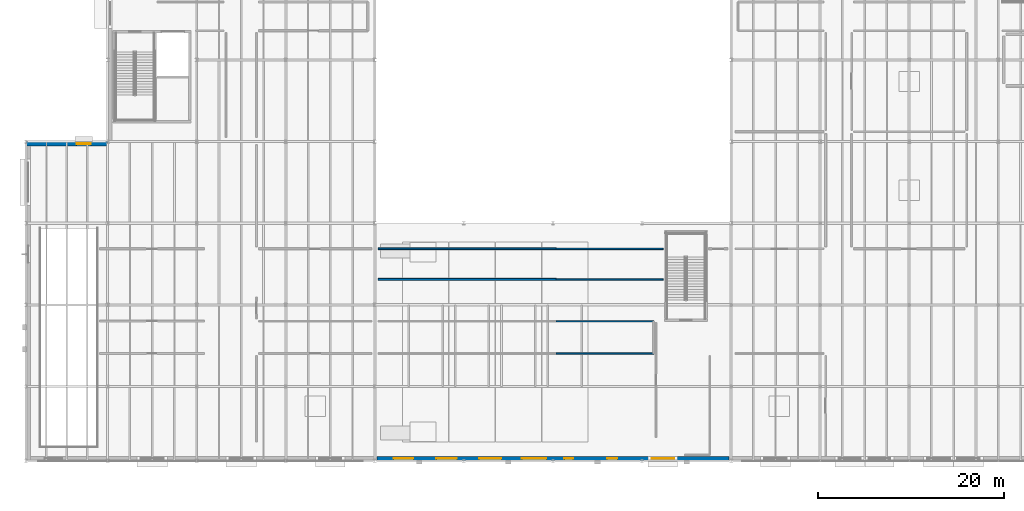
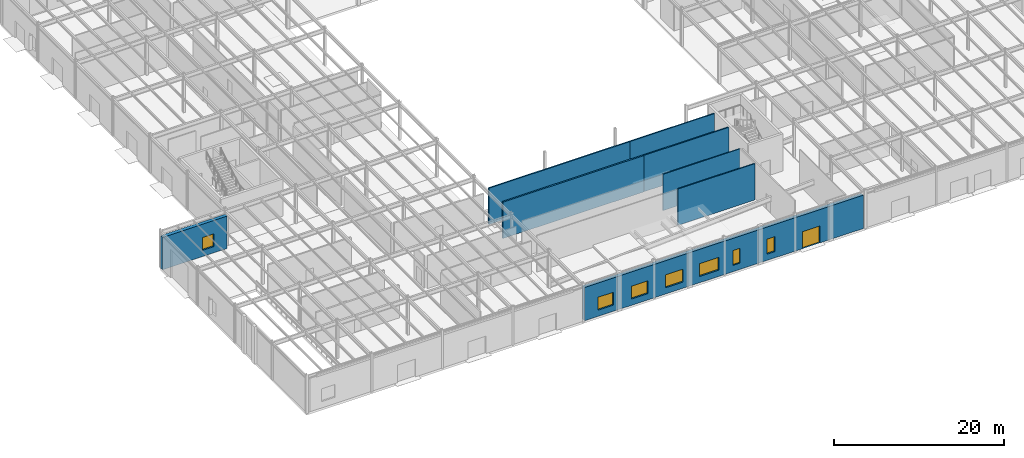
# One storey, part 44 of 70: 8 walls, 7 windows, 1 door, 8 openings.
"""IFC4 building model written with IfcOpenShell, lengths in metres."""

from ifc_helpers import new_model, si_unit, direction, frame, frame_2d, origin, place, context, subcontext, project, spatial, rectangle, extrude, material, layer, layer_set, type_object, element, fill, save


model = new_model("IFC4")

# Units and contexts
model_context = context("Model", 3, precision=1e-05, world=origin(), true_north=direction((0.0, 1.0)))
body_context = subcontext(model_context, "Body", "Model", "MODEL_VIEW")
ifc_project = project(units=[si_unit("LENGTHUNIT", "METRE"), si_unit("AREAUNIT", "SQUARE_METRE"), si_unit("VOLUMEUNIT", "CUBIC_METRE"), si_unit("PLANEANGLEUNIT", "RADIAN"), si_unit("MASSUNIT", "GRAM", prefix="KILO")], contexts=[model_context])

# Site, building, storey
site_placement = place(None, origin())
site = spatial("IfcSite", under=ifc_project, at=site_placement, CompositionType="ELEMENT")
building_placement = place(site_placement, origin())
building = spatial("IfcBuilding", under=site, at=building_placement, Name="Sarnbrook Museum", CompositionType="ELEMENT")
storey_placement = place(building_placement, origin())
storey = spatial("IfcBuildingStorey", under=building, at=storey_placement, Name="L00", CompositionType="ELEMENT", Elevation=0.0)

# Walls
ifc_material_1 = material(Name="Fire-Rated Acoustic Gypsum Plasterboard")
ifc_layer_1 = layer(ifc_material_1, 0.135009765625)
ifc_layer_set_1 = layer_set([ifc_layer_1], Name="Fire-Rated Acoustic Gypsum Plasterboard")
wall_type_1 = type_object("IfcWallType", Name="PartWall_P135", PredefinedType="PARTITIONING", material=ifc_layer_set_1)
wall_1_placement = place(storey_placement, frame((72.43994140625, 19.85009765625, 0.0), z_axis=(0.0, 0.0, 1.0), x_axis=(-1.0, 0.0, 0.0)))
element("IfcWall", 1, at=wall_1_placement, inside=storey, type_object=wall_type_1, Name="Interior Partition Wall L00-0278", PredefinedType="PARTITIONING", context=body_context, shape_type="SweptSolid", body=[
    extrude(rectangle(XDim=10.510009765625, YDim=0.135009765625, at=frame_2d((5.2548828125, 0.0))), origin(), (0.0, 0.0, 1.0), 5.22998046875),
])
ifc_layer_2 = layer(ifc_material_1, 0.14990234375)
ifc_layer_set_2 = layer_set([ifc_layer_2], Name="Fire-Rated Acoustic Gypsum Plasterboard")
wall_type_2 = type_object("IfcWallType", Name="PartWall_P150", PredefinedType="PARTITIONING", material=ifc_layer_set_2)
wall_2_placement = place(storey_placement, frame((61.929931640625, 16.35009765625, 0.0), z_axis=(0.0, 0.0, 1.0), x_axis=(1.0, 0.0, 0.0)))
element("IfcWall", 2, at=wall_2_placement, inside=storey, type_object=wall_type_2, Name="Interior Partition Wall L00-0277", PredefinedType="PARTITIONING", context=body_context, shape_type="SweptSolid", body=[
    extrude(rectangle(XDim=10.510009765625, YDim=0.14990234375, at=frame_2d((5.2548828125, 0.0))), origin(), (0.0, 0.0, 1.0), 5.22998046875),
])
ifc_layer_3 = layer(ifc_material_1, 0.1650390625)
ifc_layer_set_3 = layer_set([ifc_layer_3], Name="Fire-Rated Acoustic Gypsum Plasterboard")
wall_type_3 = type_object("IfcWallType", Name="PartWall_P165", PredefinedType="PARTITIONING", material=ifc_layer_set_3)
wall_3_placement = place(storey_placement, frame((73.47998046875, 27.64990234375, 0.0), z_axis=(0.0, 0.0, 1.0), x_axis=(-1.0, 0.0, 0.0)))
element("IfcWall", 3, at=wall_3_placement, inside=storey, type_object=wall_type_3, Name="Interior Partition Wall L00-0276", PredefinedType="PARTITIONING", context=body_context, shape_type="SweptSolid", body=[
    extrude(rectangle(XDim=11.550048828125, YDim=0.1650390625, at=frame_2d((5.77490234375, 0.0))), origin(), (0.0, 0.0, 1.0), 5.22998046875),
])
ifc_layer_4 = layer(ifc_material_1, 0.179931640625)
ifc_layer_set_4 = layer_set([ifc_layer_4], Name="Fire-Rated Acoustic Gypsum Plasterboard")
wall_type_4 = type_object("IfcWallType", Name="PartWall_P180", PredefinedType="PARTITIONING", material=ifc_layer_set_4)
wall_4_placement = place(storey_placement, frame((61.929931640625, 27.64990234375, 0.0), z_axis=(0.0, 0.0, 1.0), x_axis=(-1.0, 0.0, 0.0)))
element("IfcWall", 4, at=wall_4_placement, inside=storey, type_object=wall_type_4, Name="Interior Partition Wall L00-0240", PredefinedType="PARTITIONING", context=body_context, shape_type="SweptSolid", body=[
    extrude(rectangle(XDim=19.169921875, YDim=0.179931640625, at=frame_2d((9.5849609375, 0.0))), origin(), (0.0, 0.0, 1.0), 5.22998046875),
])
wall_5_placement = place(storey_placement, frame((61.929931640625, 24.35009765625, 0.0), z_axis=(0.0, 0.0, 1.0), x_axis=(1.0, 0.0, 0.0)))
element("IfcWall", 5, at=wall_5_placement, inside=storey, type_object=wall_type_4, Name="Interior Partition Wall L00-0275", PredefinedType="PARTITIONING", context=body_context, shape_type="SweptSolid", body=[
    extrude(rectangle(XDim=11.550048828125, YDim=0.179931640625, at=frame_2d((5.77490234375, 0.0))), origin(), (0.0, 0.0, 1.0), 5.22998046875),
])
ifc_layer_5 = layer(ifc_material_1, 0.2099609375)
ifc_layer_set_5 = layer_set([ifc_layer_5], Name="Fire-Rated Acoustic Gypsum Plasterboard")
wall_type_5 = type_object("IfcWallType", Name="PartWall_P210", PredefinedType="PARTITIONING", material=ifc_layer_set_5)
wall_6_placement = place(storey_placement, frame((42.760009765625, 24.35009765625, 0.0), z_axis=(0.0, 0.0, 1.0), x_axis=(1.0, 0.0, 0.0)))
element("IfcWall", 6, at=wall_6_placement, inside=storey, type_object=wall_type_5, Name="Interior Partition Wall L00-0238", PredefinedType="PARTITIONING", context=body_context, shape_type="SweptSolid", body=[
    extrude(rectangle(XDim=19.169921875, YDim=0.2099609375, at=frame_2d((9.5849609375, 0.0))), origin(), (0.0, 0.0, 1.0), 5.22998046875),
])

# Wall, opening, window
ifc_material_2 = material(Name="Barrabool Sandstone Ashlar Cladding", Category="masonry")
ifc_layer_6 = layer(ifc_material_2, 0.4599609375)
ifc_layer_set_6 = layer_set([ifc_layer_6], Name="Barrabool Sandstone Ashlar Cladding")
wall_type_6 = type_object("IfcWallType", Name="Wall_SandstoneExt460", PredefinedType="SOLIDWALL", material=ifc_layer_set_6)
wall_7_placement = place(storey_placement, frame((13.60009765625, 38.969970703125, 0.0), z_axis=(0.0, 0.0, 1.0), x_axis=(-1.0, 0.0, 0.0)))
wall_7 = element("IfcWall", 7, at=wall_7_placement, inside=storey, type_object=wall_type_6, Name="Classical Sandstone Facade Wall L00-12", PredefinedType="SOLIDWALL", context=body_context, shape_type="SweptSolid", body=[
    extrude(rectangle(XDim=8.800048828125, YDim=0.4599609375, at=frame_2d((4.39990234375, 0.0))), origin(), (0.0, 0.0, 1.0), 4.653076171875),
])
opening_1_placement = place(wall_7_placement, frame((1.800048828125, 0.0, 0.89990234375)))
opening_1 = element("IfcOpeningElement", 8, at=opening_1_placement, cuts=wall_7, Name="Opening WT-16", PredefinedType="OPENING", context=body_context, shape_type="SweptSolid", body=[
    extrude(rectangle(XDim=1.550048828125, YDim=1.85009765625, at=frame_2d((0.77490234375, 0.925048828125))), frame((0.0, 0.239990234375, 0.0), z_axis=(0.0, -1.0, 0.0), x_axis=(1.0, 0.0, 0.0)), (0.0, 0.0, 1.0), 0.47998046875),
])
ifc_material_3 = material(Name="Double-Glazed Low-Iron Laminated Safety Glass", Category="glass")
window_type_1 = type_object("IfcWindowType", Name="Window_Classical_WT16", PartitioningType="SINGLE_PANEL", PredefinedType="WINDOW", material=ifc_material_3)
window_1_placement = place(opening_1_placement, origin())
window_1 = element("IfcWindow", 9, at=window_1_placement, inside=storey, type_object=window_type_1, Name="Classical Bronze Casement Window WIN:L00:0016", OverallHeight=1.85009765625, OverallWidth=1.550048828125, PartitioningType="SINGLE_PANEL", PredefinedType="WINDOW", context=body_context, shape_type="SweptSolid", body=[
    extrude(rectangle(XDim=1.550048828125, YDim=1.85009765625, at=frame_2d((0.77490234375, 0.925048828125))), frame((0.0, 0.030029296875, 0.0), z_axis=(0.0, -1.0, 0.0), x_axis=(1.0, 0.0, 0.0)), (0.0, 0.0, 1.0), 0.06005859375),
])
fill(opening_1, window_1)

# Wall, openings, door, windows
wall_8_placement = place(storey_placement, frame((42.635986328125, 5.030029296875, 0.0), z_axis=(0.0, 0.0, 1.0), x_axis=(1.0, 0.0, 0.0)))
wall_8 = element("IfcWall", 10, at=wall_8_placement, inside=storey, type_object=wall_type_6, Name="Classical Sandstone Facade Wall L00-15", PredefinedType="SOLIDWALL", context=body_context, shape_type="SweptSolid", body=[
    extrude(rectangle(XDim=37.927978515625, YDim=0.4599609375, at=frame_2d((18.9638671875, 0.0))), origin(), (0.0, 0.0, 1.0), 4.802001953125),
])
opening_2_placement = place(wall_8_placement, frame((29.614013671875, 0.0, 0.0)))
opening_2 = element("IfcOpeningElement", 11, at=opening_2_placement, cuts=wall_8, Name="Opening ED33", PredefinedType="OPENING", context=body_context, shape_type="SweptSolid", body=[
    extrude(rectangle(XDim=2.39990234375, YDim=2.449951171875, at=frame_2d((1.199951171875, 1.22509765625))), frame((0.0, 0.239990234375, 0.0), z_axis=(0.0, -1.0, 0.0), x_axis=(1.0, 0.0, 0.0)), (0.0, 0.0, 1.0), 0.47998046875),
])
opening_3_placement = place(wall_8_placement, frame((1.800048828125, 0.0, 0.89990234375)))
opening_3 = element("IfcOpeningElement", 12, at=opening_3_placement, cuts=wall_8, Name="Opening WT-19", PredefinedType="OPENING", context=body_context, shape_type="SweptSolid", body=[
    extrude(rectangle(XDim=2.1201171875, YDim=1.85009765625, at=frame_2d((1.06005859375, 0.925048828125))), frame((0.0, 0.239990234375, 0.0), z_axis=(0.0, -1.0, 0.0), x_axis=(1.0, 0.0, 0.0)), (0.0, 0.0, 1.0), 0.47998046875),
])
opening_4_placement = place(wall_8_placement, frame((6.39990234375, 0.0, 0.89990234375)))
opening_4 = element("IfcOpeningElement", 13, at=opening_4_placement, cuts=wall_8, Name="Opening WT-20", PredefinedType="OPENING", context=body_context, shape_type="SweptSolid", body=[
    extrude(rectangle(XDim=2.199951171875, YDim=1.85009765625, at=frame_2d((1.10009765625, 0.925048828125))), frame((0.0, 0.239990234375, 0.0), z_axis=(0.0, -1.0, 0.0), x_axis=(1.0, 0.0, 0.0)), (0.0, 0.0, 1.0), 0.47998046875),
])
opening_5_placement = place(wall_8_placement, frame((11.0, 0.0, 0.89990234375)))
opening_5 = element("IfcOpeningElement", 14, at=opening_5_placement, cuts=wall_8, Name="Opening WT-21", PredefinedType="OPENING", context=body_context, shape_type="SweptSolid", body=[
    extrude(rectangle(XDim=2.39990234375, YDim=1.85009765625, at=frame_2d((1.199951171875, 0.925048828125))), frame((0.0, 0.239990234375, 0.0), z_axis=(0.0, -1.0, 0.0), x_axis=(1.0, 0.0, 0.0)), (0.0, 0.0, 1.0), 0.47998046875),
])
opening_6_placement = place(wall_8_placement, frame((15.60009765625, 0.0, 0.89990234375)))
opening_6 = element("IfcOpeningElement", 15, at=opening_6_placement, cuts=wall_8, Name="Opening WT-22", PredefinedType="OPENING", context=body_context, shape_type="SweptSolid", body=[
    extrude(rectangle(XDim=2.64990234375, YDim=1.85009765625, at=frame_2d((1.324951171875, 0.925048828125))), frame((0.0, 0.239990234375, 0.0), z_axis=(0.0, -1.0, 0.0), x_axis=(1.0, 0.0, 0.0)), (0.0, 0.0, 1.0), 0.47998046875),
])
opening_7_placement = place(wall_8_placement, frame((20.199951171875, 0.0, 0.89990234375)))
opening_7 = element("IfcOpeningElement", 16, at=opening_7_placement, cuts=wall_8, Name="Opening WT-23", PredefinedType="OPENING", context=body_context, shape_type="SweptSolid", body=[
    extrude(rectangle(XDim=0.949951171875, YDim=2.14990234375, at=frame_2d((0.47509765625, 1.074951171875))), frame((0.0, 0.239990234375, 0.0), z_axis=(0.0, -1.0, 0.0), x_axis=(1.0, 0.0, 0.0)), (0.0, 0.0, 1.0), 0.47998046875),
])
opening_8_placement = place(wall_8_placement, frame((24.800048828125, 0.0, 0.89990234375)))
opening_8 = element("IfcOpeningElement", 17, at=opening_8_placement, cuts=wall_8, Name="Opening WT-24", PredefinedType="OPENING", context=body_context, shape_type="SweptSolid", body=[
    extrude(rectangle(XDim=1.10009765625, YDim=2.14990234375, at=frame_2d((0.550048828125, 1.074951171875))), frame((0.0, 0.239990234375, 0.0), z_axis=(0.0, -1.0, 0.0), x_axis=(1.0, 0.0, 0.0)), (0.0, 0.0, 1.0), 0.47998046875),
])
ifc_material_4 = material(Name="Thermally Broken Anodised Aluminium 6063-T6", Category="aluminium")
door_type = type_object("IfcDoorType", Name="DoorType_EDT2", OperationType="DOUBLE_DOOR_SINGLE_SWING", PredefinedType="DOOR", material=ifc_material_4)
door_placement = place(opening_2_placement, frame((2.39990234375, 0.0, 0.0), z_axis=(0.0, 0.0, 1.0), x_axis=(-1.0, 0.0, 0.0)))
door = element("IfcDoor", 18, at=door_placement, inside=storey, type_object=door_type, Name="Auditorium South Pedestrian Exit Door ED33", OperationType="DOUBLE_DOOR_SINGLE_SWING", OverallHeight=2.449951171875, OverallWidth=2.39990234375, PredefinedType="DOOR", context=body_context, shape_type="SweptSolid", body=[
    extrude(rectangle(XDim=2.39990234375, YDim=2.449951171875, at=frame_2d((1.199951171875, 1.22509765625))), frame((0.0, 0.02490234375, 0.0), z_axis=(0.0, -1.0, 0.0), x_axis=(1.0, 0.0, 0.0)), (0.0, 0.0, 1.0), 0.050048828125),
])
fill(opening_2, door)
window_type_2 = type_object("IfcWindowType", Name="Window_Classical_WT19", PartitioningType="SINGLE_PANEL", PredefinedType="WINDOW", material=ifc_material_3)
window_2_placement = place(opening_3_placement, origin())
window_2 = element("IfcWindow", 19, at=window_2_placement, inside=storey, type_object=window_type_2, Name="Classical Bronze Casement Window WIN:L00:0019", OverallHeight=1.85009765625, OverallWidth=2.1201171875, PartitioningType="SINGLE_PANEL", PredefinedType="WINDOW", context=body_context, shape_type="SweptSolid", body=[
    extrude(rectangle(XDim=2.1201171875, YDim=1.85009765625, at=frame_2d((1.06005859375, 0.925048828125))), frame((0.0, 0.030029296875, 0.0), z_axis=(0.0, -1.0, 0.0), x_axis=(1.0, 0.0, 0.0)), (0.0, 0.0, 1.0), 0.06005859375),
])
fill(opening_3, window_2)
window_type_3 = type_object("IfcWindowType", Name="Window_Classical_WT20", PartitioningType="SINGLE_PANEL", PredefinedType="WINDOW", material=ifc_material_3)
window_3_placement = place(opening_4_placement, origin())
window_3 = element("IfcWindow", 20, at=window_3_placement, inside=storey, type_object=window_type_3, Name="Classical Bronze Casement Window WIN:L00:0020", OverallHeight=1.85009765625, OverallWidth=2.199951171875, PartitioningType="SINGLE_PANEL", PredefinedType="WINDOW", context=body_context, shape_type="SweptSolid", body=[
    extrude(rectangle(XDim=2.199951171875, YDim=1.85009765625, at=frame_2d((1.10009765625, 0.925048828125))), frame((0.0, 0.030029296875, 0.0), z_axis=(0.0, -1.0, 0.0), x_axis=(1.0, 0.0, 0.0)), (0.0, 0.0, 1.0), 0.06005859375),
])
fill(opening_4, window_3)
window_type_4 = type_object("IfcWindowType", Name="Window_Classical_WT21", PartitioningType="SINGLE_PANEL", PredefinedType="WINDOW", material=ifc_material_3)
window_4_placement = place(opening_5_placement, origin())
window_4 = element("IfcWindow", 21, at=window_4_placement, inside=storey, type_object=window_type_4, Name="Classical Bronze Casement Window WIN:L00:0021", OverallHeight=1.85009765625, OverallWidth=2.39990234375, PartitioningType="SINGLE_PANEL", PredefinedType="WINDOW", context=body_context, shape_type="SweptSolid", body=[
    extrude(rectangle(XDim=2.39990234375, YDim=1.85009765625, at=frame_2d((1.199951171875, 0.925048828125))), frame((0.0, 0.030029296875, 0.0), z_axis=(0.0, -1.0, 0.0), x_axis=(1.0, 0.0, 0.0)), (0.0, 0.0, 1.0), 0.06005859375),
])
fill(opening_5, window_4)
window_type_5 = type_object("IfcWindowType", Name="Window_Classical_WT22", PartitioningType="SINGLE_PANEL", PredefinedType="WINDOW", material=ifc_material_3)
window_5_placement = place(opening_6_placement, origin())
window_5 = element("IfcWindow", 22, at=window_5_placement, inside=storey, type_object=window_type_5, Name="Classical Bronze Casement Window WIN:L00:0022", OverallHeight=1.85009765625, OverallWidth=2.64990234375, PartitioningType="SINGLE_PANEL", PredefinedType="WINDOW", context=body_context, shape_type="SweptSolid", body=[
    extrude(rectangle(XDim=2.64990234375, YDim=1.85009765625, at=frame_2d((1.324951171875, 0.925048828125))), frame((0.0, 0.030029296875, 0.0), z_axis=(0.0, -1.0, 0.0), x_axis=(1.0, 0.0, 0.0)), (0.0, 0.0, 1.0), 0.06005859375),
])
fill(opening_6, window_5)
window_type_6 = type_object("IfcWindowType", Name="Window_Classical_WT23", PartitioningType="SINGLE_PANEL", PredefinedType="WINDOW", material=ifc_material_3)
window_6_placement = place(opening_7_placement, origin())
window_6 = element("IfcWindow", 23, at=window_6_placement, inside=storey, type_object=window_type_6, Name="Classical Bronze Casement Window WIN:L00:0023", OverallHeight=2.14990234375, OverallWidth=0.949951171875, PartitioningType="SINGLE_PANEL", PredefinedType="WINDOW", context=body_context, shape_type="SweptSolid", body=[
    extrude(rectangle(XDim=0.949951171875, YDim=2.14990234375, at=frame_2d((0.47509765625, 1.074951171875))), frame((0.0, 0.030029296875, 0.0), z_axis=(0.0, -1.0, 0.0), x_axis=(1.0, 0.0, 0.0)), (0.0, 0.0, 1.0), 0.06005859375),
])
fill(opening_7, window_6)
window_type_7 = type_object("IfcWindowType", Name="Window_Classical_WT24", PartitioningType="SINGLE_PANEL", PredefinedType="WINDOW", material=ifc_material_3)
window_7_placement = place(opening_8_placement, origin())
window_7 = element("IfcWindow", 24, at=window_7_placement, inside=storey, type_object=window_type_7, Name="Classical Bronze Casement Window WIN:L00:0024", OverallHeight=2.14990234375, OverallWidth=1.10009765625, PartitioningType="SINGLE_PANEL", PredefinedType="WINDOW", context=body_context, shape_type="SweptSolid", body=[
    extrude(rectangle(XDim=1.10009765625, YDim=2.14990234375, at=frame_2d((0.550048828125, 1.074951171875))), frame((0.0, 0.030029296875, 0.0), z_axis=(0.0, -1.0, 0.0), x_axis=(1.0, 0.0, 0.0)), (0.0, 0.0, 1.0), 0.06005859375),
])
fill(opening_8, window_7)

save(model, "model.ifc")
